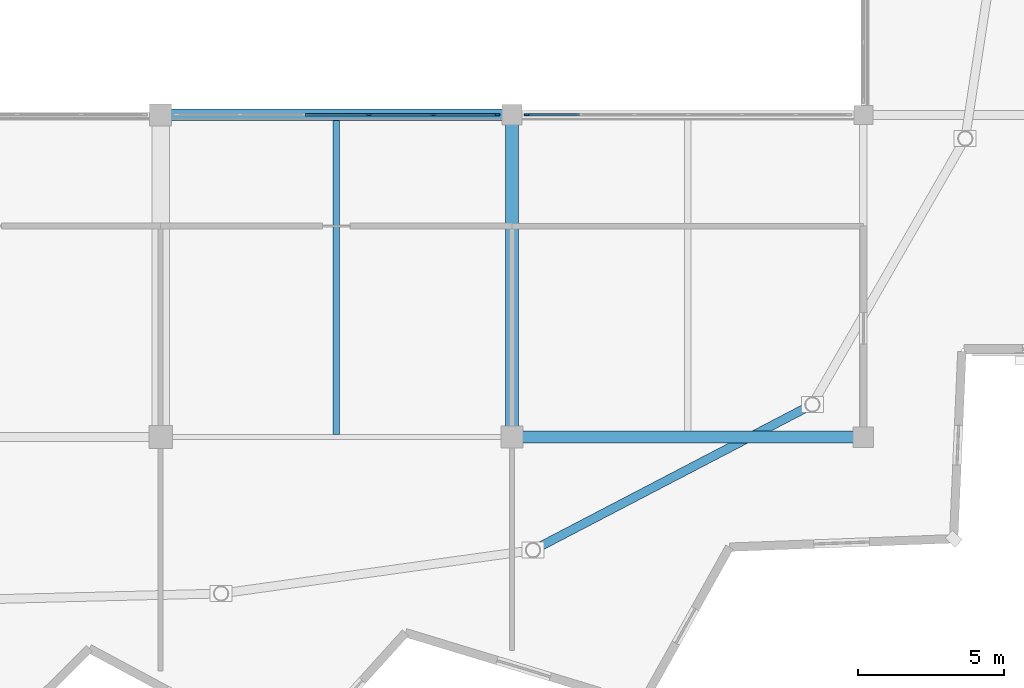
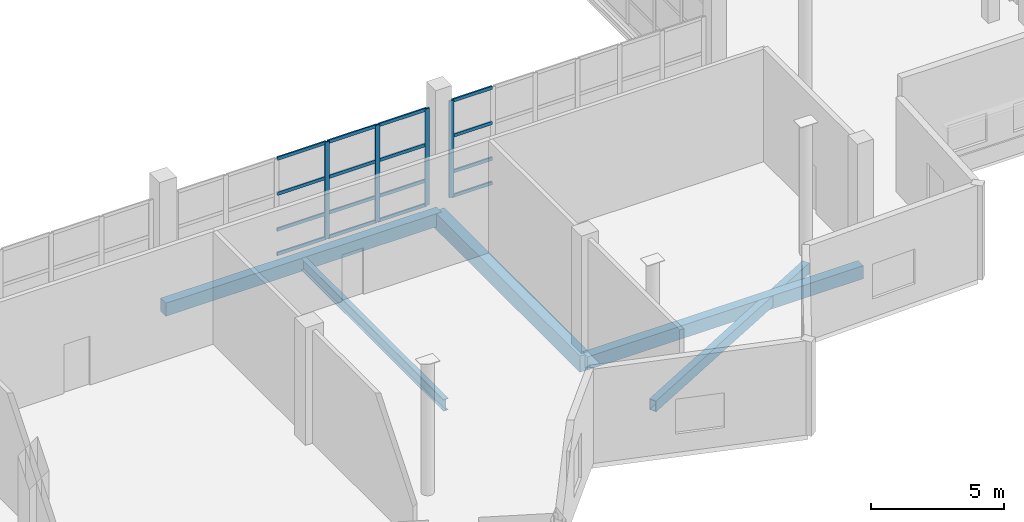
# One storey, part 17 of 49: 20 members, 5 beams, 2 elements without a shape of their own.
"""IFC4 building model written with IfcOpenShell, lengths in metres."""

from ifc_helpers import new_model, si_unit, direction, frame, origin, origin_2d, place, context, subcontext, project, spatial, rectangle, hollow_rectangle, i_section, extrude, material, material_profile, profile_set, type_object, element, aggregate, save


model = new_model("IFC4")

# Units and contexts
model_context = context("Model", 3, precision=1e-05, world=origin(), true_north=direction((0.0, 1.0)))
body_context = subcontext(model_context, "Body", "Model", "MODEL_VIEW")
ifc_project = project(units=[si_unit("LENGTHUNIT", "METRE"), si_unit("AREAUNIT", "SQUARE_METRE"), si_unit("VOLUMEUNIT", "CUBIC_METRE"), si_unit("PLANEANGLEUNIT", "RADIAN"), si_unit("MASSUNIT", "GRAM", prefix="KILO")], contexts=[model_context])

# Site, building, storey
site_placement = place(None, origin())
site = spatial("IfcSite", under=ifc_project, at=site_placement, CompositionType="ELEMENT")
building_placement = place(site_placement, origin())
building = spatial("IfcBuilding", under=site, at=building_placement, Name="Luwafu Chhajja Arena", CompositionType="ELEMENT")
storey_placement = place(building_placement, frame((0.0, 0.0, 24.300048828125)))
storey = spatial("IfcBuildingStorey", under=building, at=storey_placement, Name="L05", CompositionType="ELEMENT", Elevation=24.300048828125)

# Curtain wall, members
ifc_material_1 = material(Name="Anodised bronze aluminium", Category="aluminium")
curtain_wall_type = type_object("IfcCurtainWallType", Name="VIP Club Terrace Curtain Wall", PredefinedType="USERDEFINED", material=ifc_material_1)
curtain_wall_1_placement = place(storey_placement, origin())
curtain_wall_1 = element("IfcCurtainWall", 1, at=curtain_wall_1_placement, inside=storey, type_object=curtain_wall_type, Name="L05 Bowl Viewing Curtain Wall CWR-L05-06", ObjectType="CURTAIN WALL", PredefinedType="USERDEFINED")
ifc_material_profile_1 = material_profile(ifc_material_1, rectangle(XDim=0.06494140625, YDim=0.199951171875, at=origin_2d()), Name="CWM 65x200")
ifc_profile_set_1 = profile_set([ifc_material_profile_1], Name="Anodised bronze aluminium")
member_type_1 = type_object("IfcMemberType", Name="Bronze Curtain Wall Mullion 65x200", PredefinedType="MULLION", material=ifc_profile_set_1)
member_1_placement = place(storey_placement, frame((123.112060546875, 22.0, 0.0), z_axis=(0.0, 0.0, 1.0), x_axis=(0.0, 1.0, 0.0)))
member_1 = element("IfcMember", 2, at=member_1_placement, type_object=member_type_1, Name="CW-10 mullion 4", PredefinedType="MULLION", context=body_context, shape_type="SweptSolid", body=[
    extrude(rectangle(XDim=0.06494140625, YDim=0.199951171875, at=origin_2d()), origin(), (0.0, 0.0, 1.0), 4.449951171875),
])
member_2_placement = place(storey_placement, frame((125.31103515625, 22.0, 0.0), z_axis=(0.0, 0.0, 1.0), x_axis=(0.0, 1.0, 0.0)))
member_2 = element("IfcMember", 3, at=member_2_placement, type_object=member_type_1, Name="CW-10 mullion 5", PredefinedType="MULLION", context=body_context, shape_type="SweptSolid", body=[
    extrude(rectangle(XDim=0.06494140625, YDim=0.199951171875, at=origin_2d()), origin(), (0.0, 0.0, 1.0), 4.449951171875),
])
member_3_placement = place(storey_placement, frame((127.4775390625, 22.0, 0.0), z_axis=(0.0, 0.0, 1.0), x_axis=(0.0, 1.0, 0.0)))
member_3 = element("IfcMember", 4, at=member_3_placement, type_object=member_type_1, Name="CW-10 mullion 6", PredefinedType="MULLION", context=body_context, shape_type="SweptSolid", body=[
    extrude(rectangle(XDim=0.06494140625, YDim=0.199951171875, at=origin_2d()), origin(), (0.0, 0.0, 1.0), 4.449951171875),
])

# Curtain wall, member
curtain_wall_2_placement = place(storey_placement, origin())
curtain_wall_2 = element("IfcCurtainWall", 5, at=curtain_wall_2_placement, inside=storey, type_object=curtain_wall_type, Name="L05 Bowl Viewing Curtain Wall CWR-L05-07", ObjectType="CURTAIN WALL", PredefinedType="USERDEFINED")
member_4_placement = place(storey_placement, frame((128.5224609375, 22.0, 0.0), z_axis=(0.0, 0.0, 1.0), x_axis=(0.0, 1.0, 0.0)))
member_4 = element("IfcMember", 6, at=member_4_placement, type_object=member_type_1, Name="CW-10 mullion 1", PredefinedType="MULLION", context=body_context, shape_type="SweptSolid", body=[
    extrude(rectangle(XDim=0.06494140625, YDim=0.199951171875, at=origin_2d()), origin(), (0.0, 0.0, 1.0), 4.449951171875),
])

# Member
ifc_material_profile_2 = material_profile(ifc_material_1, rectangle(XDim=0.06494140625, YDim=0.14990234375, at=origin_2d()), Name="CWT 65x150")
ifc_profile_set_2 = profile_set([ifc_material_profile_2], Name="Anodised bronze aluminium")
member_type_2 = type_object("IfcMemberType", Name="Bronze Curtain Wall Transom 65x150", PredefinedType="USERDEFINED", material=ifc_profile_set_2)
member_5_placement = place(storey_placement, frame((120.945556640625, 22.0, 0.032470703125), z_axis=(1.0, 0.0, 0.0), x_axis=(0.0, 1.0, 0.0)))
member_5 = element("IfcMember", 7, at=member_5_placement, type_object=member_type_2, Name="CW-10 transom 3.1", ObjectType="TRANSOM", PredefinedType="USERDEFINED", context=body_context, shape_type="SweptSolid", body=[
    extrude(rectangle(XDim=0.06494140625, YDim=0.14990234375, at=origin_2d()), origin(), (0.0, 0.0, 1.0), 2.134033203125),
])

member_6_placement = place(storey_placement, frame((120.945556640625, 22.0, 1.14990234375), z_axis=(1.0, 0.0, 0.0), x_axis=(0.0, 1.0, 0.0)))
member_6 = element("IfcMember", 8, at=member_6_placement, type_object=member_type_2, Name="CW-10 transom 3.2", ObjectType="TRANSOM", PredefinedType="USERDEFINED", context=body_context, shape_type="SweptSolid", body=[
    extrude(rectangle(XDim=0.06494140625, YDim=0.14990234375, at=origin_2d()), origin(), (0.0, 0.0, 1.0), 2.134033203125),
])

member_7_placement = place(storey_placement, frame((120.945556640625, 22.0, 2.800048828125), z_axis=(1.0, 0.0, 0.0), x_axis=(0.0, 1.0, 0.0)))
member_7 = element("IfcMember", 9, at=member_7_placement, type_object=member_type_2, Name="CW-10 transom 3.3", ObjectType="TRANSOM", PredefinedType="USERDEFINED", context=body_context, shape_type="SweptSolid", body=[
    extrude(rectangle(XDim=0.06494140625, YDim=0.14990234375, at=origin_2d()), origin(), (0.0, 0.0, 1.0), 2.134033203125),
])

member_8_placement = place(storey_placement, frame((120.945556640625, 22.0, 4.41748046875), z_axis=(1.0, 0.0, 0.0), x_axis=(0.0, 1.0, 0.0)))
member_8 = element("IfcMember", 10, at=member_8_placement, type_object=member_type_2, Name="CW-10 transom 3.4", ObjectType="TRANSOM", PredefinedType="USERDEFINED", context=body_context, shape_type="SweptSolid", body=[
    extrude(rectangle(XDim=0.06494140625, YDim=0.14990234375, at=origin_2d()), origin(), (0.0, 0.0, 1.0), 2.134033203125),
])

member_9_placement = place(storey_placement, frame((123.14453125, 22.0, 0.032470703125), z_axis=(1.0, 0.0, 0.0), x_axis=(0.0, 1.0, 0.0)))
member_9 = element("IfcMember", 11, at=member_9_placement, type_object=member_type_2, Name="CW-10 transom 4.1", ObjectType="TRANSOM", PredefinedType="USERDEFINED", context=body_context, shape_type="SweptSolid", body=[
    extrude(rectangle(XDim=0.06494140625, YDim=0.14990234375, at=origin_2d()), origin(), (0.0, 0.0, 1.0), 2.134033203125),
])

member_10_placement = place(storey_placement, frame((123.14453125, 22.0, 1.14990234375), z_axis=(1.0, 0.0, 0.0), x_axis=(0.0, 1.0, 0.0)))
member_10 = element("IfcMember", 12, at=member_10_placement, type_object=member_type_2, Name="CW-10 transom 4.2", ObjectType="TRANSOM", PredefinedType="USERDEFINED", context=body_context, shape_type="SweptSolid", body=[
    extrude(rectangle(XDim=0.06494140625, YDim=0.14990234375, at=origin_2d()), origin(), (0.0, 0.0, 1.0), 2.134033203125),
])

member_11_placement = place(storey_placement, frame((123.14453125, 22.0, 2.800048828125), z_axis=(1.0, 0.0, 0.0), x_axis=(0.0, 1.0, 0.0)))
member_11 = element("IfcMember", 13, at=member_11_placement, type_object=member_type_2, Name="CW-10 transom 4.3", ObjectType="TRANSOM", PredefinedType="USERDEFINED", context=body_context, shape_type="SweptSolid", body=[
    extrude(rectangle(XDim=0.06494140625, YDim=0.14990234375, at=origin_2d()), origin(), (0.0, 0.0, 1.0), 2.134033203125),
])

member_12_placement = place(storey_placement, frame((123.14453125, 22.0, 4.41748046875), z_axis=(1.0, 0.0, 0.0), x_axis=(0.0, 1.0, 0.0)))
member_12 = element("IfcMember", 14, at=member_12_placement, type_object=member_type_2, Name="CW-10 transom 4.4", ObjectType="TRANSOM", PredefinedType="USERDEFINED", context=body_context, shape_type="SweptSolid", body=[
    extrude(rectangle(XDim=0.06494140625, YDim=0.14990234375, at=origin_2d()), origin(), (0.0, 0.0, 1.0), 2.134033203125),
])

member_13_placement = place(storey_placement, frame((125.343505859375, 22.0, 0.032470703125), z_axis=(1.0, 0.0, 0.0), x_axis=(0.0, 1.0, 0.0)))
member_13 = element("IfcMember", 15, at=member_13_placement, type_object=member_type_2, Name="CW-10 transom 5.1", ObjectType="TRANSOM", PredefinedType="USERDEFINED", context=body_context, shape_type="SweptSolid", body=[
    extrude(rectangle(XDim=0.06494140625, YDim=0.14990234375, at=origin_2d()), origin(), (0.0, 0.0, 1.0), 2.1015625),
])

member_14_placement = place(storey_placement, frame((125.343505859375, 22.0, 1.14990234375), z_axis=(1.0, 0.0, 0.0), x_axis=(0.0, 1.0, 0.0)))
member_14 = element("IfcMember", 16, at=member_14_placement, type_object=member_type_2, Name="CW-10 transom 5.2", ObjectType="TRANSOM", PredefinedType="USERDEFINED", context=body_context, shape_type="SweptSolid", body=[
    extrude(rectangle(XDim=0.06494140625, YDim=0.14990234375, at=origin_2d()), origin(), (0.0, 0.0, 1.0), 2.1015625),
])

member_15_placement = place(storey_placement, frame((125.343505859375, 22.0, 2.800048828125), z_axis=(1.0, 0.0, 0.0), x_axis=(0.0, 1.0, 0.0)))
member_15 = element("IfcMember", 17, at=member_15_placement, type_object=member_type_2, Name="CW-10 transom 5.3", ObjectType="TRANSOM", PredefinedType="USERDEFINED", context=body_context, shape_type="SweptSolid", body=[
    extrude(rectangle(XDim=0.06494140625, YDim=0.14990234375, at=origin_2d()), origin(), (0.0, 0.0, 1.0), 2.1015625),
])

member_16_placement = place(storey_placement, frame((125.343505859375, 22.0, 4.41748046875), z_axis=(1.0, 0.0, 0.0), x_axis=(0.0, 1.0, 0.0)))
member_16 = element("IfcMember", 18, at=member_16_placement, type_object=member_type_2, Name="CW-10 transom 5.4", ObjectType="TRANSOM", PredefinedType="USERDEFINED", context=body_context, shape_type="SweptSolid", body=[
    extrude(rectangle(XDim=0.06494140625, YDim=0.14990234375, at=origin_2d()), origin(), (0.0, 0.0, 1.0), 2.1015625),
])

aggregate(curtain_wall_1, [member_1, member_2, member_3, member_5, member_6, member_7, member_8, member_9, member_10, member_11, member_12, member_13, member_14, member_15, member_16])

member_17_placement = place(storey_placement, frame((128.554931640625, 22.0, 0.032470703125), z_axis=(1.0, 0.0, 0.0), x_axis=(0.0, 1.0, 0.0)))
member_17 = element("IfcMember", 19, at=member_17_placement, type_object=member_type_2, Name="CW-10 transom 1.1", ObjectType="TRANSOM", PredefinedType="USERDEFINED", context=body_context, shape_type="SweptSolid", body=[
    extrude(rectangle(XDim=0.06494140625, YDim=0.14990234375, at=origin_2d()), origin(), (0.0, 0.0, 1.0), 1.743408203125),
])

member_18_placement = place(storey_placement, frame((128.554931640625, 22.0, 1.14990234375), z_axis=(1.0, 0.0, 0.0), x_axis=(0.0, 1.0, 0.0)))
member_18 = element("IfcMember", 20, at=member_18_placement, type_object=member_type_2, Name="CW-10 transom 1.2", ObjectType="TRANSOM", PredefinedType="USERDEFINED", context=body_context, shape_type="SweptSolid", body=[
    extrude(rectangle(XDim=0.06494140625, YDim=0.14990234375, at=origin_2d()), origin(), (0.0, 0.0, 1.0), 1.743408203125),
])

member_19_placement = place(storey_placement, frame((128.554931640625, 22.0, 2.800048828125), z_axis=(1.0, 0.0, 0.0), x_axis=(0.0, 1.0, 0.0)))
member_19 = element("IfcMember", 21, at=member_19_placement, type_object=member_type_2, Name="CW-10 transom 1.3", ObjectType="TRANSOM", PredefinedType="USERDEFINED", context=body_context, shape_type="SweptSolid", body=[
    extrude(rectangle(XDim=0.06494140625, YDim=0.14990234375, at=origin_2d()), origin(), (0.0, 0.0, 1.0), 1.743408203125),
])

member_20_placement = place(storey_placement, frame((128.554931640625, 22.0, 4.41748046875), z_axis=(1.0, 0.0, 0.0), x_axis=(0.0, 1.0, 0.0)))
member_20 = element("IfcMember", 22, at=member_20_placement, type_object=member_type_2, Name="CW-10 transom 1.4", ObjectType="TRANSOM", PredefinedType="USERDEFINED", context=body_context, shape_type="SweptSolid", body=[
    extrude(rectangle(XDim=0.06494140625, YDim=0.14990234375, at=origin_2d()), origin(), (0.0, 0.0, 1.0), 1.743408203125),
])

aggregate(curtain_wall_2, [member_4, member_17, member_18, member_19, member_20])

# Beams
ifc_material_2 = material(Name="Steel S355", Category="steel")
ifc_material_profile_3 = material_profile(ifc_material_2, i_section(OverallWidth=0.2099609375, OverallDepth=0.53662109375, WebThickness=0.0107421875, FlangeThickness=0.017333984375, at=origin_2d()), Name="UB 533x210x101")
ifc_profile_set_3 = profile_set([ifc_material_profile_3], Name="Steel S355")
beam_type_1 = type_object("IfcBeamType", Name="Floor Joist UB 533x210x101", PredefinedType="JOIST", material=ifc_profile_set_3)
beam_1_placement = place(storey_placement, frame((122.0, 11.0830078125, -0.658447265625), z_axis=(0.0, 1.0, 0.0), x_axis=(-1.0, 0.0, 0.0)))
element("IfcBeam", 23, at=beam_1_placement, inside=storey, type_object=beam_type_1, Name="L05 Secondary Joist 11-12/B", PredefinedType="JOIST", context=body_context, shape_type="SweptSolid", body=[
    extrude(i_section(OverallWidth=0.2099609375, OverallDepth=0.53662109375, WebThickness=0.0107421875, FlangeThickness=0.017333984375, at=origin_2d()), origin(), (0.0, 0.0, 1.0), 10.717041015625),
])
ifc_material_profile_4 = material_profile(ifc_material_2, hollow_rectangle(XDim=0.300048828125, YDim=0.5, WallThickness=0.02001953125, at=origin_2d()), Name="RHS 500x300x20")
ifc_profile_set_4 = profile_set([ifc_material_profile_4], Name="Steel S355")
beam_type_2 = type_object("IfcBeamType", Name="Pleated Drum Spandrel Beam RHS 500x300", PredefinedType="SPANDREL", material=ifc_profile_set_4)
beam_2_placement = place(storey_placement, frame((128.718017578125, 7.13720703125, -0.64013671875), z_axis=(0.886755170812, 0.462239404463, 0.0), x_axis=(-0.462239404463, 0.886755170812, 0.0)))
element("IfcBeam", 24, at=beam_2_placement, inside=storey, type_object=beam_type_2, Name="L05 Drum Ring Spandrel D28-D29", PredefinedType="SPANDREL", context=body_context, shape_type="SweptSolid", body=[
    extrude(hollow_rectangle(XDim=0.300048828125, YDim=0.5, WallThickness=0.02001953125, at=origin_2d()), origin(), (0.0, 0.0, 1.0), 10.756103515625),
])
ifc_material_3 = material(Name="Concrete C35/45", Category="concrete")
ifc_material_profile_5 = material_profile(ifc_material_3, rectangle(XDim=0.39990234375, YDim=0.60009765625, at=origin_2d()), Name="RC 400x600")
ifc_profile_set_5 = profile_set([ifc_material_profile_5], Name="Concrete C35/45")
beam_type_3 = type_object("IfcBeamType", Name="Podium Perimeter Spandrel RC 400x600", PredefinedType="SPANDREL", material=ifc_profile_set_5)
for number, where, z_axis, x_axis, name in (
    (25, (116.0, 22.0, -0.68994140625), (1.0, 0.0, 0.0), (0.0, 1.0, 0.0), "L05 Grid Beam 11-12/C"),
    (26, (128.0, 11.0, -0.68994140625), (1.0, 0.0, 0.0), (0.0, 1.0, 0.0), "L05 Grid Beam 12-13/B"),
):
    element("IfcBeam", number, at=place(storey_placement, frame(where, z_axis=z_axis, x_axis=x_axis)), inside=storey, type_object=beam_type_3, Name=name, PredefinedType="SPANDREL", context=body_context, shape_type="SweptSolid", body=[
        extrude(rectangle(XDim=0.39990234375, YDim=0.60009765625, at=origin_2d()), origin(), (0.0, 0.0, 1.0), 12.0),
    ])
ifc_material_profile_6 = material_profile(ifc_material_3, rectangle(XDim=0.449951171875, YDim=0.75, at=origin_2d()), Name="RC 450x750")
ifc_profile_set_6 = profile_set([ifc_material_profile_6], Name="Concrete C35/45")
beam_type_4 = type_object("IfcBeamType", Name="Wing Primary Beam RC 450x750", PredefinedType="BEAM", material=ifc_profile_set_6)
beam_3_placement = place(storey_placement, frame((128.0, 11.0, -0.76513671875), z_axis=(0.0, 1.0, 0.0), x_axis=(-1.0, 0.0, 0.0)))
element("IfcBeam", 27, at=beam_3_placement, inside=storey, type_object=beam_type_4, Name="L05 Grid Beam 12/B-C", PredefinedType="BEAM", context=body_context, shape_type="SweptSolid", body=[
    extrude(rectangle(XDim=0.449951171875, YDim=0.75, at=origin_2d()), origin(), (0.0, 0.0, 1.0), 11.0),
])

save(model, "model.ifc")
